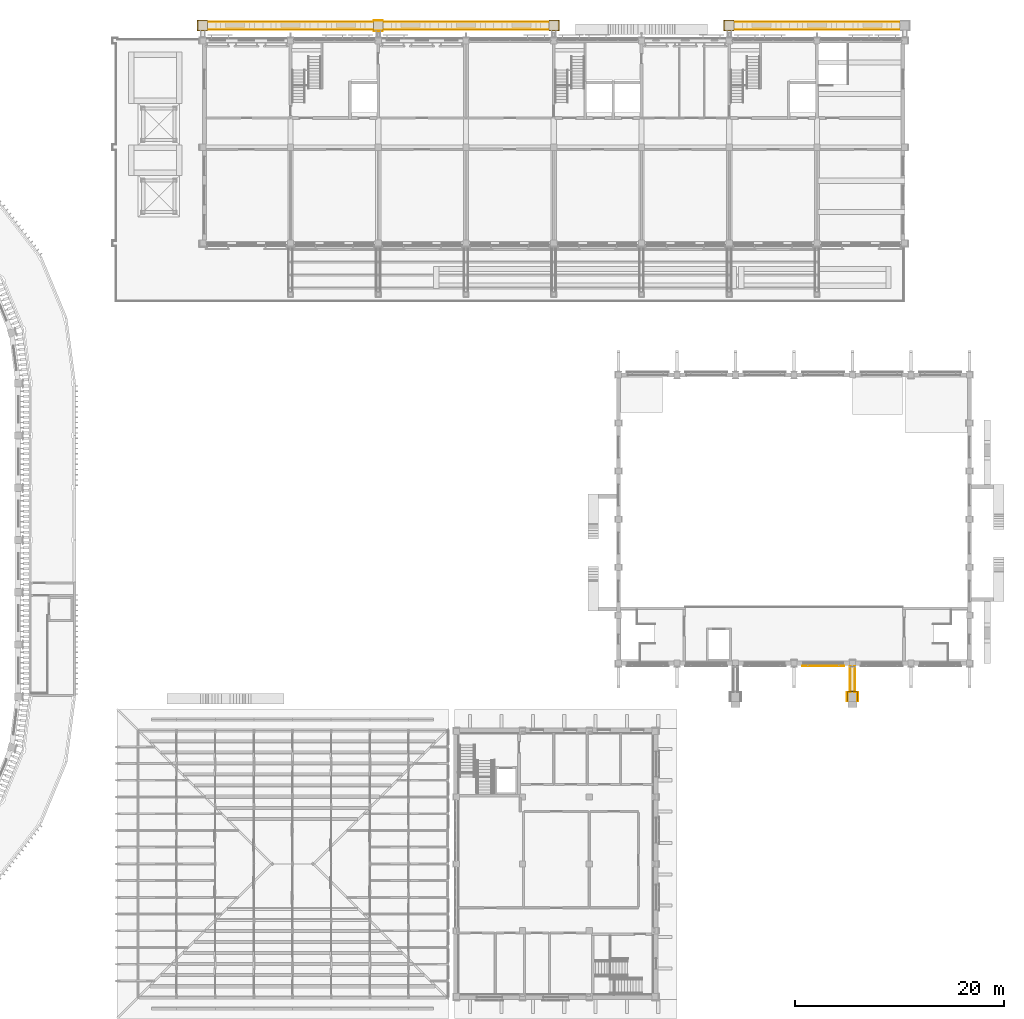
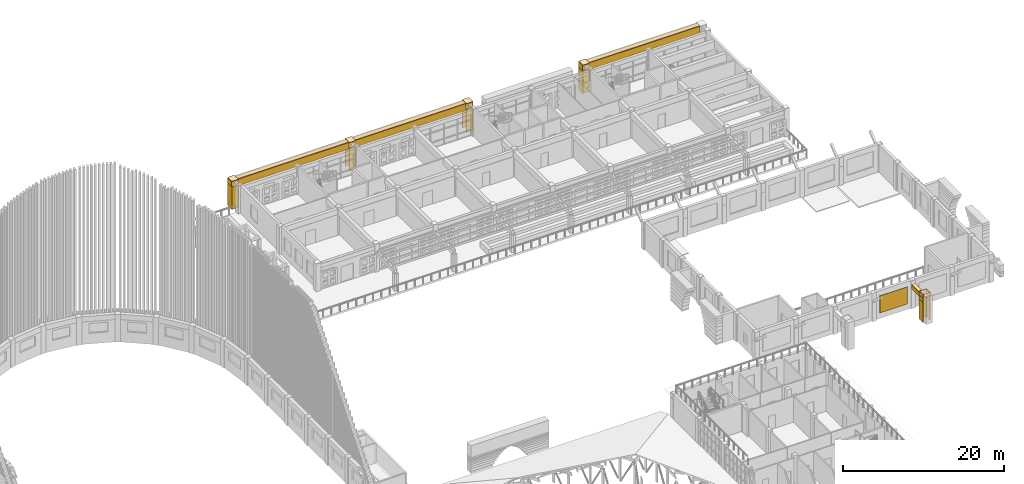
# One storey, part 64 of 68: 29 coverings, 1 shading device.
"""IFC4 building model written with IfcOpenShell, lengths in metres."""

from ifc_helpers import new_model, si_unit, direction, frame, origin, origin_2d, place, context, subcontext, project, spatial, polyline, rectangle, outline, extrude, material, layer, layer_set, type_object, element, save


model = new_model("IFC4")

# Units and contexts
model_context = context("Model", 3, precision=1e-05, world=origin(), true_north=direction((0.0, 1.0)))
body_context = subcontext(model_context, "Body", "Model", "MODEL_VIEW")
ifc_project = project(units=[si_unit("LENGTHUNIT", "METRE"), si_unit("AREAUNIT", "SQUARE_METRE"), si_unit("VOLUMEUNIT", "CUBIC_METRE"), si_unit("PLANEANGLEUNIT", "RADIAN"), si_unit("MASSUNIT", "GRAM", prefix="KILO")], contexts=[model_context])

# Site, building, storey
site_placement = place(None, origin())
site = spatial("IfcSite", under=ifc_project, at=site_placement, CompositionType="ELEMENT")
building_placement = place(site_placement, origin())
building = spatial("IfcBuilding", under=site, at=building_placement, Name="Wasatch Bagh Community Centre", CompositionType="ELEMENT")
storey_placement = place(building_placement, frame((0.0, 0.0, 8.39990234375)))
storey = spatial("IfcBuildingStorey", under=building, at=storey_placement, Name="L02", CompositionType="ELEMENT", Elevation=8.39990234375)

# Coverings
ifc_material_1 = material(Name="Cast stone cladding", Category="masonry")
ifc_layer_1 = layer(ifc_material_1, 0.080078125)
ifc_layer_set_1 = layer_set([ifc_layer_1], Name="Cast stone cladding")
covering_type_1 = type_object("IfcCoveringType", Name="CL-B7 beam facing", PredefinedType="CLADDING", material=ifc_layer_set_1)
covering_1_placement = place(storey_placement, frame((0.0, 0.0, 3.0)))
element("IfcCovering", 1, at=covering_1_placement, inside=storey, type_object=covering_type_1, Name="Beam facing", PredefinedType="CLADDING", context=body_context, shape_type="SweptSolid", body=[
    extrude(outline(polyline([(134.77490234375, 37.89990234375), (134.77490234375, 35.449951171875), (134.85498046875, 35.449951171875), (134.85498046875, 37.89990234375), (134.77490234375, 37.89990234375)])), origin(), (0.0, 0.0, 1.0), 0.60009765625),
])
covering_2_placement = place(storey_placement, frame((0.0, 0.0, 3.0)))
element("IfcCovering", 2, at=covering_2_placement, inside=storey, type_object=covering_type_1, Name="Beam facing", PredefinedType="CLADDING", context=body_context, shape_type="SweptSolid", body=[
    extrude(outline(polyline([(134.425048828125, 37.89990234375), (134.425048828125, 35.449951171875), (134.344970703125, 35.449951171875), (134.344970703125, 37.89990234375), (134.425048828125, 37.89990234375)])), origin(), (0.0, 0.0, 1.0), 0.60009765625),
])
covering_3_placement = place(storey_placement, frame((0.0, 0.0, 3.60009765625)))
element("IfcCovering", 3, at=covering_3_placement, inside=storey, type_object=covering_type_1, Name="Beam facing", PredefinedType="CLADDING", context=body_context, shape_type="SweptSolid", body=[
    extrude(outline(polyline([(134.344970703125, 37.89990234375), (134.344970703125, 35.449951171875), (134.85498046875, 35.449951171875), (134.85498046875, 37.89990234375), (134.344970703125, 37.89990234375)])), origin(), (0.0, 0.0, 1.0), 0.080078125),
])
covering_4_placement = place(storey_placement, frame((0.0, 0.0, 3.2001953125)))
element("IfcCovering", 4, at=covering_4_placement, inside=storey, type_object=covering_type_1, Name="Beam facing", PredefinedType="CLADDING", context=body_context, shape_type="SweptSolid", body=[
    extrude(outline(polyline([(72.85009765625, 99.550048828125), (88.75, 99.550048828125), (88.75, 99.6298828125), (72.85009765625, 99.6298828125), (72.85009765625, 99.550048828125)])), origin(), (0.0, 0.0, 1.0), 1.0),
])
covering_5_placement = place(storey_placement, frame((0.0, 0.0, 3.2001953125)))
element("IfcCovering", 5, at=covering_5_placement, inside=storey, type_object=covering_type_1, Name="Beam facing", PredefinedType="CLADDING", context=body_context, shape_type="SweptSolid", body=[
    extrude(outline(polyline([(72.85009765625, 98.949951171875), (88.75, 98.949951171875), (88.75, 98.8701171875), (72.85009765625, 98.8701171875), (72.85009765625, 98.949951171875)])), origin(), (0.0, 0.0, 1.0), 1.0),
])
covering_6_placement = place(storey_placement, frame((0.0, 0.0, 4.2001953125)))
element("IfcCovering", 6, at=covering_6_placement, inside=storey, type_object=covering_type_1, Name="Beam facing", PredefinedType="CLADDING", context=body_context, shape_type="SweptSolid", body=[
    extrude(outline(polyline([(72.85009765625, 98.8701171875), (88.75, 98.8701171875), (88.75, 99.6298828125), (72.85009765625, 99.6298828125), (72.85009765625, 98.8701171875)])), origin(), (0.0, 0.0, 1.0), 0.079833984375),
])
covering_7_placement = place(storey_placement, frame((0.0, 0.0, 3.2001953125)))
element("IfcCovering", 7, at=covering_7_placement, inside=storey, type_object=covering_type_1, Name="Beam facing", PredefinedType="CLADDING", context=body_context, shape_type="SweptSolid", body=[
    extrude(outline(polyline([(89.64990234375, 99.550048828125), (105.550048828125, 99.550048828125), (105.550048828125, 99.6298828125), (89.64990234375, 99.6298828125), (89.64990234375, 99.550048828125)])), origin(), (0.0, 0.0, 1.0), 1.0),
])
covering_8_placement = place(storey_placement, frame((0.0, 0.0, 3.2001953125)))
element("IfcCovering", 8, at=covering_8_placement, inside=storey, type_object=covering_type_1, Name="Beam facing", PredefinedType="CLADDING", context=body_context, shape_type="SweptSolid", body=[
    extrude(outline(polyline([(89.64990234375, 98.949951171875), (105.550048828125, 98.949951171875), (105.550048828125, 98.8701171875), (89.64990234375, 98.8701171875), (89.64990234375, 98.949951171875)])), origin(), (0.0, 0.0, 1.0), 1.0),
])
covering_9_placement = place(storey_placement, frame((0.0, 0.0, 4.2001953125)))
element("IfcCovering", 9, at=covering_9_placement, inside=storey, type_object=covering_type_1, Name="Beam facing", PredefinedType="CLADDING", context=body_context, shape_type="SweptSolid", body=[
    extrude(outline(polyline([(89.64990234375, 98.8701171875), (105.550048828125, 98.8701171875), (105.550048828125, 99.6298828125), (89.64990234375, 99.6298828125), (89.64990234375, 98.8701171875)])), origin(), (0.0, 0.0, 1.0), 0.079833984375),
])
covering_10_placement = place(storey_placement, frame((0.0, 0.0, 3.2001953125)))
element("IfcCovering", 10, at=covering_10_placement, inside=storey, type_object=covering_type_1, Name="Beam facing", PredefinedType="CLADDING", context=body_context, shape_type="SweptSolid", body=[
    extrude(outline(polyline([(123.25, 99.550048828125), (139.14990234375, 99.550048828125), (139.14990234375, 99.6298828125), (123.25, 99.6298828125), (123.25, 99.550048828125)])), origin(), (0.0, 0.0, 1.0), 1.0),
])
covering_11_placement = place(storey_placement, frame((0.0, 0.0, 3.2001953125)))
element("IfcCovering", 11, at=covering_11_placement, inside=storey, type_object=covering_type_1, Name="Beam facing", PredefinedType="CLADDING", context=body_context, shape_type="SweptSolid", body=[
    extrude(outline(polyline([(123.25, 98.949951171875), (139.14990234375, 98.949951171875), (139.14990234375, 98.8701171875), (123.25, 98.8701171875), (123.25, 98.949951171875)])), origin(), (0.0, 0.0, 1.0), 1.0),
])
covering_12_placement = place(storey_placement, frame((0.0, 0.0, 4.2001953125)))
element("IfcCovering", 12, at=covering_12_placement, inside=storey, type_object=covering_type_1, Name="Beam facing", PredefinedType="CLADDING", context=body_context, shape_type="SweptSolid", body=[
    extrude(outline(polyline([(123.25, 98.8701171875), (139.14990234375, 98.8701171875), (139.14990234375, 99.6298828125), (123.25, 99.6298828125), (123.25, 98.8701171875)])), origin(), (0.0, 0.0, 1.0), 0.079833984375),
])
ifc_layer_2 = layer(ifc_material_1, 0.080078125)
ifc_layer_set_2 = layer_set([ifc_layer_2], Name="Cast stone cladding")
covering_type_2 = type_object("IfcCoveringType", Name="CL-C1 column facing", PredefinedType="CLADDING", material=ifc_layer_set_2)
covering_13_placement = place(storey_placement, origin())
element("IfcCovering", 13, at=covering_13_placement, inside=storey, type_object=covering_type_2, Name="Column facing", PredefinedType="CLADDING", context=body_context, shape_type="SweptSolid", body=[
    extrude(outline(polyline([(71.8701171875, 98.719970703125), (71.8701171875, 99.780029296875), (72.85009765625, 99.780029296875), (72.85009765625, 99.699951171875), (71.949951171875, 99.699951171875), (71.949951171875, 98.800048828125), (72.85009765625, 98.800048828125), (72.85009765625, 98.719970703125), (71.8701171875, 98.719970703125)])), origin(), (0.0, 0.0, 1.0), 3.400146484375),
])
covering_14_placement = place(storey_placement, frame((0.0, 0.0, 3.400146484375)))
element("IfcCovering", 14, at=covering_14_placement, inside=storey, type_object=covering_type_2, Name="Column facing", PredefinedType="CLADDING", context=body_context, shape_type="SweptSolid", body=[
    extrude(outline(polyline([(71.949951171875, 98.800048828125), (71.8701171875, 98.800048828125), (71.8701171875, 99.780029296875), (72.85009765625, 99.780029296875), (72.85009765625, 99.699951171875), (71.949951171875, 99.699951171875), (71.949951171875, 98.800048828125)])), origin(), (0.0, 0.0, 1.0), 0.800048828125),
])
covering_15_placement = place(storey_placement, frame((0.0, 0.0, 4.2001953125)))
element("IfcCovering", 15, at=covering_15_placement, inside=storey, type_object=covering_type_2, Name="Column facing", PredefinedType="CLADDING", context=body_context, shape_type="SweptSolid", body=[
    extrude(outline(polyline([(72.85009765625, 98.719970703125), (71.949951171875, 98.719970703125), (71.949951171875, 98.800048828125), (71.8701171875, 98.800048828125), (71.8701171875, 99.699951171875), (71.949951171875, 99.699951171875), (71.949951171875, 99.780029296875), (72.85009765625, 99.780029296875), (72.85009765625, 98.719970703125)])), origin(), (0.0, 0.0, 1.0), 0.079833984375),
])
covering_16_placement = place(storey_placement, origin())
element("IfcCovering", 16, at=covering_16_placement, inside=storey, type_object=covering_type_2, Name="Column facing", PredefinedType="CLADDING", context=body_context, shape_type="SweptSolid", body=[
    extrude(outline(polyline([(88.75, 99.699951171875), (88.75, 99.780029296875), (89.64990234375, 99.780029296875), (89.64990234375, 99.699951171875), (88.75, 99.699951171875)])), origin(), (0.0, 0.0, 1.0), 3.400146484375),
])
covering_17_placement = place(storey_placement, origin())
element("IfcCovering", 17, at=covering_17_placement, inside=storey, type_object=covering_type_2, Name="Column facing", PredefinedType="CLADDING", context=body_context, shape_type="SweptSolid", body=[
    extrude(outline(polyline([(89.64990234375, 98.800048828125), (89.64990234375, 98.719970703125), (88.75, 98.719970703125), (88.75, 98.800048828125), (89.64990234375, 98.800048828125)])), origin(), (0.0, 0.0, 1.0), 3.400146484375),
])
covering_18_placement = place(storey_placement, frame((0.0, 0.0, 3.400146484375)))
element("IfcCovering", 18, at=covering_18_placement, inside=storey, type_object=covering_type_2, Name="Column facing", PredefinedType="CLADDING", context=body_context, shape_type="SweptSolid", body=[
    extrude(outline(polyline([(89.64990234375, 99.699951171875), (88.75, 99.699951171875), (88.75, 99.780029296875), (89.64990234375, 99.780029296875), (89.64990234375, 99.699951171875)])), origin(), (0.0, 0.0, 1.0), 0.800048828125),
])
covering_19_placement = place(storey_placement, frame((0.0, 0.0, 4.2001953125)))
element("IfcCovering", 19, at=covering_19_placement, inside=storey, type_object=covering_type_2, Name="Column facing", PredefinedType="CLADDING", context=body_context, shape_type="SweptSolid", body=[
    extrude(outline(polyline([(89.64990234375, 98.719970703125), (88.75, 98.719970703125), (88.75, 99.780029296875), (89.64990234375, 99.780029296875), (89.64990234375, 98.719970703125)])), origin(), (0.0, 0.0, 1.0), 0.079833984375),
])
covering_20_placement = place(storey_placement, origin())
element("IfcCovering", 20, at=covering_20_placement, inside=storey, type_object=covering_type_2, Name="Column facing", PredefinedType="CLADDING", context=body_context, shape_type="SweptSolid", body=[
    extrude(outline(polyline([(106.530029296875, 98.719970703125), (105.550048828125, 98.719970703125), (105.550048828125, 98.800048828125), (106.449951171875, 98.800048828125), (106.449951171875, 99.699951171875), (105.550048828125, 99.699951171875), (105.550048828125, 99.780029296875), (106.530029296875, 99.780029296875), (106.530029296875, 98.719970703125)])), origin(), (0.0, 0.0, 1.0), 3.400146484375),
])
covering_21_placement = place(storey_placement, frame((0.0, 0.0, 3.400146484375)))
element("IfcCovering", 21, at=covering_21_placement, inside=storey, type_object=covering_type_2, Name="Column facing", PredefinedType="CLADDING", context=body_context, shape_type="SweptSolid", body=[
    extrude(outline(polyline([(106.449951171875, 99.699951171875), (105.550048828125, 99.699951171875), (105.550048828125, 99.780029296875), (106.530029296875, 99.780029296875), (106.530029296875, 98.800048828125), (106.449951171875, 98.800048828125), (106.449951171875, 99.699951171875)])), origin(), (0.0, 0.0, 1.0), 0.800048828125),
])
covering_22_placement = place(storey_placement, frame((0.0, 0.0, 4.2001953125)))
element("IfcCovering", 22, at=covering_22_placement, inside=storey, type_object=covering_type_2, Name="Column facing", PredefinedType="CLADDING", context=body_context, shape_type="SweptSolid", body=[
    extrude(outline(polyline([(105.550048828125, 98.719970703125), (105.550048828125, 99.780029296875), (106.449951171875, 99.780029296875), (106.449951171875, 99.699951171875), (106.530029296875, 99.699951171875), (106.530029296875, 98.800048828125), (106.449951171875, 98.800048828125), (106.449951171875, 98.719970703125), (105.550048828125, 98.719970703125)])), origin(), (0.0, 0.0, 1.0), 0.079833984375),
])
covering_23_placement = place(storey_placement, origin())
element("IfcCovering", 23, at=covering_23_placement, inside=storey, type_object=covering_type_2, Name="Column facing", PredefinedType="CLADDING", context=body_context, shape_type="SweptSolid", body=[
    extrude(outline(polyline([(122.27001953125, 98.719970703125), (122.27001953125, 99.780029296875), (123.25, 99.780029296875), (123.25, 99.699951171875), (122.35009765625, 99.699951171875), (122.35009765625, 98.800048828125), (123.25, 98.800048828125), (123.25, 98.719970703125), (122.27001953125, 98.719970703125)])), origin(), (0.0, 0.0, 1.0), 3.400146484375),
])
covering_24_placement = place(storey_placement, frame((0.0, 0.0, 3.400146484375)))
element("IfcCovering", 24, at=covering_24_placement, inside=storey, type_object=covering_type_2, Name="Column facing", PredefinedType="CLADDING", context=body_context, shape_type="SweptSolid", body=[
    extrude(outline(polyline([(122.35009765625, 98.800048828125), (122.27001953125, 98.800048828125), (122.27001953125, 99.780029296875), (123.25, 99.780029296875), (123.25, 99.699951171875), (122.35009765625, 99.699951171875), (122.35009765625, 98.800048828125)])), origin(), (0.0, 0.0, 1.0), 0.800048828125),
])
covering_25_placement = place(storey_placement, frame((0.0, 0.0, 4.2001953125)))
element("IfcCovering", 25, at=covering_25_placement, inside=storey, type_object=covering_type_2, Name="Column facing", PredefinedType="CLADDING", context=body_context, shape_type="SweptSolid", body=[
    extrude(outline(polyline([(123.25, 98.719970703125), (122.35009765625, 98.719970703125), (122.35009765625, 98.800048828125), (122.27001953125, 98.800048828125), (122.27001953125, 99.699951171875), (122.35009765625, 99.699951171875), (122.35009765625, 99.780029296875), (123.25, 99.780029296875), (123.25, 98.719970703125)])), origin(), (0.0, 0.0, 1.0), 0.079833984375),
])
covering_26_placement = place(storey_placement, origin())
element("IfcCovering", 26, at=covering_26_placement, inside=storey, type_object=covering_type_2, Name="Column facing", PredefinedType="CLADDING", context=body_context, shape_type="SweptSolid", body=[
    extrude(outline(polyline([(134.070068359375, 34.550048828125), (134.070068359375, 35.530029296875), (135.1298828125, 35.530029296875), (135.1298828125, 35.449951171875), (135.1298828125, 34.550048828125), (135.050048828125, 34.550048828125), (135.050048828125, 35.449951171875), (134.14990234375, 35.449951171875), (134.14990234375, 34.550048828125), (134.070068359375, 34.550048828125)])), origin(), (0.0, 0.0, 1.0), 3.0),
])
covering_27_placement = place(storey_placement, frame((0.0, 0.0, 3.0)))
element("IfcCovering", 27, at=covering_27_placement, inside=storey, type_object=covering_type_2, Name="Column facing", PredefinedType="CLADDING", context=body_context, shape_type="SweptSolid", body=[
    extrude(outline(polyline([(135.050048828125, 35.449951171875), (135.1298828125, 35.449951171875), (135.1298828125, 34.550048828125), (135.050048828125, 34.550048828125), (135.050048828125, 35.449951171875)])), origin(), (0.0, 0.0, 1.0), 0.60009765625),
])
covering_28_placement = place(storey_placement, frame((0.0, 0.0, 3.0)))
element("IfcCovering", 28, at=covering_28_placement, inside=storey, type_object=covering_type_2, Name="Column facing", PredefinedType="CLADDING", context=body_context, shape_type="SweptSolid", body=[
    extrude(outline(polyline([(134.14990234375, 34.550048828125), (134.070068359375, 34.550048828125), (134.070068359375, 35.449951171875), (134.14990234375, 35.449951171875), (134.14990234375, 34.550048828125)])), origin(), (0.0, 0.0, 1.0), 0.60009765625),
])
covering_29_placement = place(storey_placement, frame((0.0, 0.0, 3.60009765625)))
element("IfcCovering", 29, at=covering_29_placement, inside=storey, type_object=covering_type_2, Name="Column facing", PredefinedType="CLADDING", context=body_context, shape_type="SweptSolid", body=[
    extrude(outline(polyline([(134.070068359375, 34.550048828125), (134.070068359375, 35.530029296875), (135.1298828125, 35.530029296875), (135.1298828125, 35.449951171875), (135.1298828125, 34.550048828125), (135.050048828125, 34.550048828125), (135.050048828125, 35.449951171875), (134.14990234375, 35.449951171875), (134.14990234375, 34.550048828125), (134.070068359375, 34.550048828125)])), origin(), (0.0, 0.0, 1.0), 0.60009765625),
])

# Shading device
ifc_material_2 = material(Name="Precast concrete C40/50", Category="concrete")
ifc_layer_3 = layer(ifc_material_2, 0.0400390625)
ifc_layer_set_3 = layer_set([ifc_layer_3], Name="Precast concrete C40/50")
shading_device_type = type_object("IfcShadingDeviceType", Name="SH jali panel 40", PredefinedType="USERDEFINED", material=ifc_layer_set_3)
shading_device_placement = place(storey_placement, frame((131.800048828125, 37.929931640625, 0.900146484375), z_axis=(0.0, 0.0, 1.0), x_axis=(1.0, 0.0, 0.0)))
element("IfcShadingDevice", 30, at=shading_device_placement, inside=storey, type_object=shading_device_type, Name="Jali shutter", ObjectType="Jali panel", PredefinedType="USERDEFINED", context=body_context, shape_type="SweptSolid", body=[
    extrude(rectangle(XDim=4.0, YDim=0.0400390625, at=origin_2d()), origin(), (0.0, 0.0, 1.0), 2.60009765625),
])

save(model, "model.ifc")
